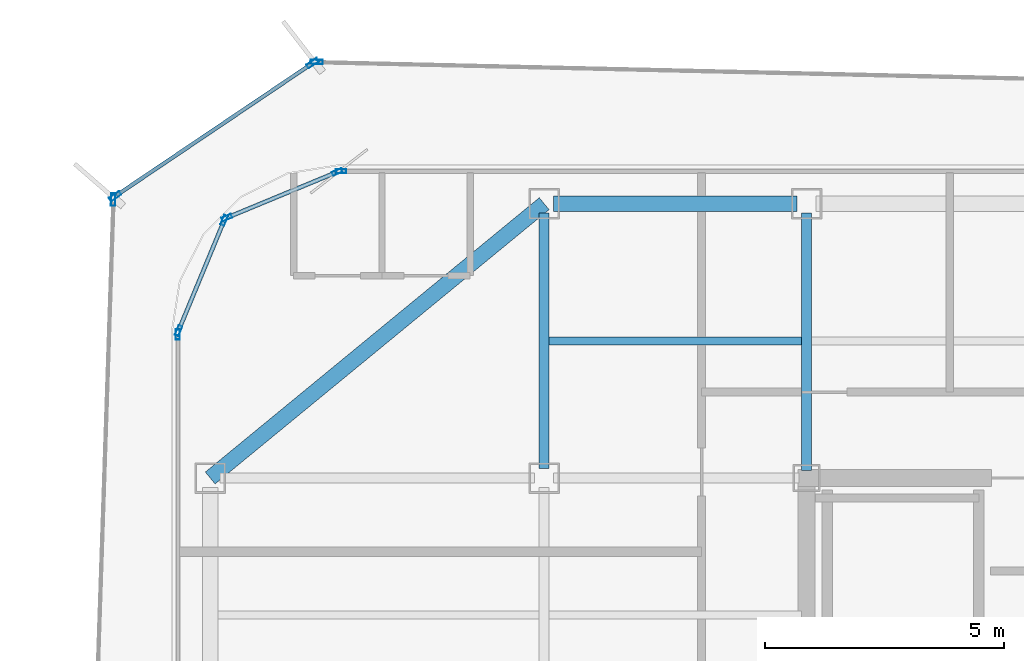
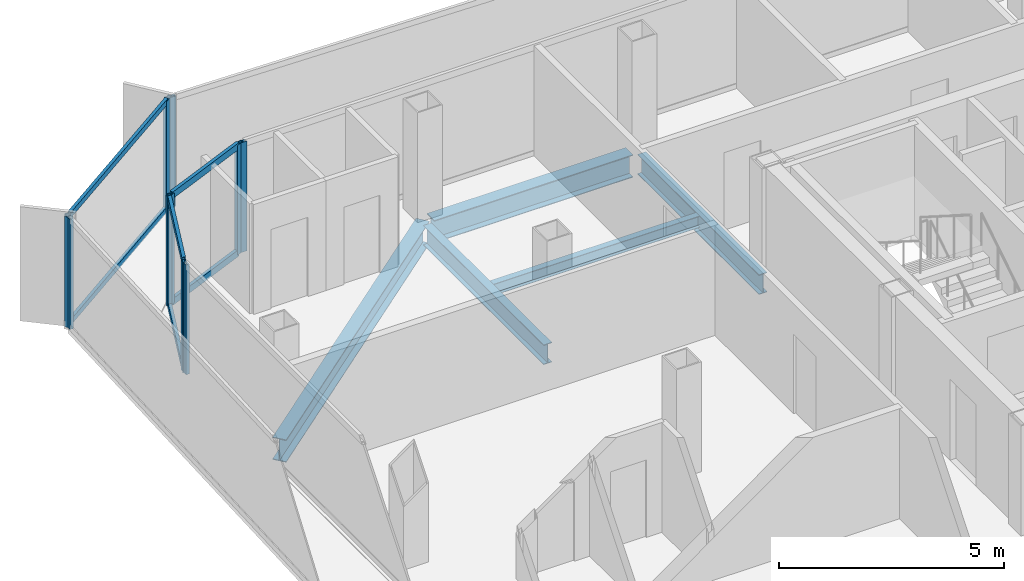
# One storey, part 6 of 16: 16 members, 5 beams, 7 elements without a shape of their own.
"""IFC4 building model written with IfcOpenShell, lengths in metres."""

from ifc_helpers import new_model, si_unit, direction, frame, origin, origin_2d, place, context, subcontext, project, spatial, hollow_rectangle, i_section, extrude, source, transform, mapped, material, layer, layer_set, material_profile, profile_set, type_object, element, aggregate, save


model = new_model("IFC4")

# Units and contexts
model_context = context("Model", 3, precision=1e-05, world=origin(), true_north=direction((0.0, 1.0)))
body_context = subcontext(model_context, "Body", "Model", "MODEL_VIEW")
ifc_project = project(units=[si_unit("LENGTHUNIT", "METRE"), si_unit("AREAUNIT", "SQUARE_METRE"), si_unit("VOLUMEUNIT", "CUBIC_METRE"), si_unit("PLANEANGLEUNIT", "RADIAN"), si_unit("MASSUNIT", "GRAM", prefix="KILO")], contexts=[model_context])

# Site, building, storey
site_placement = place(None, origin())
site = spatial("IfcSite", under=ifc_project, at=site_placement, CompositionType="ELEMENT")
building_placement = place(site_placement, origin())
building = spatial("IfcBuilding", under=site, at=building_placement, Name="Kolveth Station Tower", CompositionType="ELEMENT")
storey_placement = place(building_placement, frame((0.0, 0.0, 232.89990234375)))
storey = spatial("IfcBuildingStorey", under=building, at=storey_placement, Name="L66", CompositionType="ELEMENT", Elevation=232.89990234375)

# Beams
ifc_material_1 = material(Name="Steel S355", Category="steel")
ifc_material_profile_1 = material_profile(ifc_material_1, i_section(OverallWidth=0.323974609375, OverallDepth=0.611083984375, WebThickness=0.0126953125, FlangeThickness=0.01904296875, at=origin_2d()), Name="W610x155")
ifc_profile_set_1 = profile_set([ifc_material_profile_1], Name="Steel S355")
beam_type_1 = type_object("IfcBeamType", Name="Beam_SP2", PredefinedType="SPANDREL", material=ifc_profile_set_1)
shared_shape_1 = source(origin(), body_context, "Body", "SweptSolid", [
    extrude(i_section(OverallWidth=0.323974609375, OverallDepth=0.611083984375, WebThickness=0.0126953125, FlangeThickness=0.01904296875, at=origin_2d()), origin(), (0.0, 0.0, 1.0), 9.058837890625),
])
beam_1_placement = place(storey_placement, frame((13.0, 34.5, -0.525390625), z_axis=(-0.772726254525, -0.63473942336, 0.0), x_axis=(0.63473942336, -0.772726254525, 0.0)))
element("IfcBeam", 1, at=beam_1_placement, inside=storey, type_object=beam_type_1, Name="L66 Corner Edge Girder BM-L66-CNR-NW", PredefinedType="SPANDREL", context=body_context, shape_type="MappedRepresentation", body=[
    mapped(shared_shape_1, transform((0.0, 0.0, 0.0), x_axis=(1.0, 0.0, 0.0), y_axis=(0.0, 1.0, 0.0), z_axis=(0.0, 0.0, 1.0), scale=1.0)),
])
shared_shape_2 = source(origin(), body_context, "Body", "SweptSolid", [
    extrude(i_section(OverallWidth=0.323974609375, OverallDepth=0.611083984375, WebThickness=0.0126953125, FlangeThickness=0.01904296875, at=origin_2d()), origin(), (0.0, 0.0, 1.0), 5.10009765625),
])
beam_2_placement = place(storey_placement, frame((13.199951171875, 34.5, -0.525390625), z_axis=(1.0, 0.0, 0.0), x_axis=(0.0, 1.0, 0.0)))
element("IfcBeam", 2, at=beam_2_placement, inside=storey, type_object=beam_type_1, Name="L66 Perimeter Spandrel BM-L66-PN-1", PredefinedType="SPANDREL", context=body_context, shape_type="MappedRepresentation", body=[
    mapped(shared_shape_2, transform((0.0, 0.0, 0.0), x_axis=(1.0, 0.0, 0.0), y_axis=(0.0, 1.0, 0.0), z_axis=(0.0, 0.0, 1.0), scale=1.0)),
])
ifc_material_profile_2 = material_profile(ifc_material_1, i_section(OverallWidth=0.2099609375, OverallDepth=0.537109375, WebThickness=0.010986328125, FlangeThickness=0.017333984375, at=origin_2d()), Name="W530x101")
ifc_profile_set_2 = profile_set([ifc_material_profile_2], Name="Steel S355")
beam_type_2 = type_object("IfcBeamType", Name="Beam_B6", PredefinedType="BEAM", material=ifc_profile_set_2)
shared_shape_3 = source(origin(), body_context, "Body", "SweptSolid", [
    extrude(i_section(OverallWidth=0.2099609375, OverallDepth=0.537109375, WebThickness=0.010986328125, FlangeThickness=0.017333984375, at=origin_2d()), origin(), (0.0, 0.0, 1.0), 5.35009765625),
])
beam_3_placement = place(storey_placement, frame((13.0, 28.949951171875, -0.48828125), z_axis=(0.0, 1.0, 0.0), x_axis=(-1.0, 0.0, 0.0)))
element("IfcBeam", 3, at=beam_3_placement, inside=storey, type_object=beam_type_2, Name="L66 Primary Girder BM-L66-GX130-6", PredefinedType="BEAM", context=body_context, shape_type="MappedRepresentation", body=[
    mapped(shared_shape_3, transform((0.0, 0.0, 0.0), x_axis=(1.0, 0.0, 0.0), y_axis=(0.0, 1.0, 0.0), z_axis=(0.0, 0.0, 1.0), scale=1.0)),
])
shared_shape_4 = source(origin(), body_context, "Body", "SweptSolid", [
    extrude(i_section(OverallWidth=0.2099609375, OverallDepth=0.537109375, WebThickness=0.010986328125, FlangeThickness=0.017333984375, at=origin_2d()), origin(), (0.0, 0.0, 1.0), 5.39013671875),
])
beam_4_placement = place(storey_placement, frame((18.5, 28.909912109375, -0.48828125), z_axis=(0.0, 1.0, 0.0), x_axis=(-1.0, 0.0, 0.0)))
element("IfcBeam", 4, at=beam_4_placement, inside=storey, type_object=beam_type_2, Name="L66 Primary Girder BM-L66-GX185-6", PredefinedType="BEAM", context=body_context, shape_type="MappedRepresentation", body=[
    mapped(shared_shape_4, transform((0.0, 0.0, 0.0), x_axis=(1.0, 0.0, 0.0), y_axis=(0.0, 1.0, 0.0), z_axis=(0.0, 0.0, 1.0), scale=1.0)),
])
ifc_material_profile_3 = material_profile(ifc_material_1, i_section(OverallWidth=0.1650390625, OverallDepth=0.31005859375, WebThickness=0.005859375, FlangeThickness=0.009765625, at=origin_2d()), Name="W310x39")
ifc_profile_set_3 = profile_set([ifc_material_profile_3], Name="Steel S355")
beam_type_3 = type_object("IfcBeamType", Name="Beam_J3", PredefinedType="JOIST", material=ifc_profile_set_3)
shared_shape_5 = source(origin(), body_context, "Body", "SweptSolid", [
    extrude(i_section(OverallWidth=0.1650390625, OverallDepth=0.31005859375, WebThickness=0.005859375, FlangeThickness=0.009765625, at=origin_2d()), origin(), (0.0, 0.0, 1.0), 5.2939453125),
])
beam_5_placement = place(storey_placement, frame((13.10302734375, 31.625, -0.375), z_axis=(1.0, 0.0, 0.0), x_axis=(0.0, 1.0, 0.0)))
element("IfcBeam", 5, at=beam_5_placement, inside=storey, type_object=beam_type_3, Name="L66 Secondary Joist JST-L66-2-6", PredefinedType="JOIST", context=body_context, shape_type="MappedRepresentation", body=[
    mapped(shared_shape_5, transform((0.0, 0.0, 0.0), x_axis=(1.0, 0.0, 0.0), y_axis=(0.0, 1.0, 0.0), z_axis=(0.0, 0.0, 1.0), scale=1.0)),
])

# Curtain wall, member
ifc_material_2 = material(Name="Black anodized aluminium 6063-T6 and dark solar glass", Category="aluminium")
ifc_layer_1 = layer(ifc_material_2, 0.159912109375)
ifc_layer_set_1 = layer_set([ifc_layer_1], Name="Black anodized aluminium 6063-T6 and dark solar glass")
curtain_wall_type_1 = type_object("IfcCurtainWallType", Name="OUTER SKIN CW-OS", PredefinedType="NOTDEFINED", material=ifc_layer_set_1)
curtain_wall_1_placement = place(storey_placement, origin())
curtain_wall_1 = element("IfcCurtainWall", 6, at=curtain_wall_1_placement, inside=storey, type_object=curtain_wall_type_1, Name="L66 Outer Ventilated Skin Curtain Wall 4", PredefinedType="NOTDEFINED")
ifc_material_3 = material(Name="Black anodized aluminium 6063-T6", Category="aluminium")
ifc_material_profile_4 = material_profile(ifc_material_3, hollow_rectangle(XDim=0.090087890625, YDim=0.260009765625, WallThickness=0.0048828125, at=origin_2d()), Name="ALU-90x260x5")
ifc_profile_set_4 = profile_set([ifc_material_profile_4], Name="Black anodized aluminium 6063-T6")
member_type_1 = type_object("IfcMemberType", Name="FIN MULLION ML-OS", PredefinedType="MULLION", material=ifc_profile_set_4)
shared_shape_6 = source(origin(), body_context, "Body", "SweptSolid", [
    extrude(hollow_rectangle(XDim=0.090087890625, YDim=0.260009765625, WallThickness=0.0048828125, at=origin_2d()), origin(), (0.0, 0.0, 1.0), 2.989990234375),
])
member_1_placement = place(storey_placement, frame((8.23095703125, 37.470947265625, 0.0), z_axis=(0.0, 0.0, 1.0), x_axis=(-0.023115646129, -0.999732797753, 0.0)))
member_1 = element("IfcMember", 7, at=member_1_placement, type_object=member_type_1, Name="CW-OS mullion 2", PredefinedType="MULLION", context=body_context, shape_type="MappedRepresentation", body=[
    mapped(shared_shape_6, transform((0.0, 0.0, 0.0), x_axis=(1.0, 0.0, 0.0), y_axis=(0.0, 1.0, 0.0), z_axis=(0.0, 0.0, 1.0), scale=1.0)),
])
aggregate(curtain_wall_1, [member_1])

# Curtain wall, members
curtain_wall_2_placement = place(storey_placement, origin())
curtain_wall_2 = element("IfcCurtainWall", 8, at=curtain_wall_2_placement, inside=storey, type_object=curtain_wall_type_1, Name="L66 Outer Ventilated Skin Curtain Wall 5", PredefinedType="NOTDEFINED")
member_2_placement = place(storey_placement, frame((8.148681640625, 37.44677734375, 0.0), z_axis=(0.0, 0.0, 1.0), x_axis=(0.558759965127, -0.829329428738, 0.0)))
member_2 = element("IfcMember", 9, at=member_2_placement, type_object=member_type_1, Name="CW-OS mullion 1", PredefinedType="MULLION", context=body_context, shape_type="MappedRepresentation", body=[
    mapped(shared_shape_6, transform((0.0, 0.0, 0.0), x_axis=(1.0, 0.0, 0.0), y_axis=(0.0, 1.0, 0.0), z_axis=(0.0, 0.0, 1.0), scale=1.0)),
])
member_3_placement = place(storey_placement, frame((4.006103515625, 34.65576171875, 0.0), z_axis=(0.0, 0.0, 1.0), x_axis=(0.558759965127, -0.829329428738, 0.0)))
member_3 = element("IfcMember", 10, at=member_3_placement, type_object=member_type_1, Name="CW-OS mullion 2", PredefinedType="MULLION", context=body_context, shape_type="MappedRepresentation", body=[
    mapped(shared_shape_6, transform((0.0, 0.0, 0.0), x_axis=(1.0, 0.0, 0.0), y_axis=(0.0, 1.0, 0.0), z_axis=(0.0, 0.0, 1.0), scale=1.0)),
])

# Curtain wall, member
curtain_wall_3_placement = place(storey_placement, origin())
curtain_wall_3 = element("IfcCurtainWall", 11, at=curtain_wall_3_placement, inside=storey, type_object=curtain_wall_type_1, Name="L66 Outer Ventilated Skin Curtain Wall 6", PredefinedType="NOTDEFINED")
member_4_placement = place(storey_placement, frame((3.96728515625, 34.585693359375, 0.0), z_axis=(0.0, 0.0, 1.0), x_axis=(0.999445341564, -0.033301790141, 0.0)))
member_4 = element("IfcMember", 12, at=member_4_placement, type_object=member_type_1, Name="CW-OS mullion 1", PredefinedType="MULLION", context=body_context, shape_type="MappedRepresentation", body=[
    mapped(shared_shape_6, transform((0.0, 0.0, 0.0), x_axis=(1.0, 0.0, 0.0), y_axis=(0.0, 1.0, 0.0), z_axis=(0.0, 0.0, 1.0), scale=1.0)),
])
aggregate(curtain_wall_3, [member_4])

ifc_material_4 = material(Name="Aluminium 6063-T6 and triple low-E dark glass", Category="aluminium")
ifc_layer_2 = layer(ifc_material_4, 0.199951171875)
ifc_layer_set_2 = layer_set([ifc_layer_2], Name="Aluminium 6063-T6 and triple low-E dark glass")
curtain_wall_type_2 = type_object("IfcCurtainWallType", Name="CurtainWall_CW-Z3", PredefinedType="NOTDEFINED", material=ifc_layer_set_2)
curtain_wall_4_placement = place(storey_placement, origin())
curtain_wall_4 = element("IfcCurtainWall", 13, at=curtain_wall_4_placement, inside=storey, type_object=curtain_wall_type_2, Name="L66 Inner Thermal Curtain Wall 6", PredefinedType="NOTDEFINED")
ifc_material_profile_5 = material_profile(ifc_material_3, hollow_rectangle(XDim=0.0849609375, YDim=0.215087890625, WallThickness=0.0048828125, at=origin_2d()), Name="ALU-85x215x5")
ifc_profile_set_5 = profile_set([ifc_material_profile_5], Name="Black anodized aluminium 6063-T6")
member_type_2 = type_object("IfcMemberType", Name="Mullion_ML3", PredefinedType="MULLION", material=ifc_profile_set_5)
shared_shape_7 = source(origin(), body_context, "Body", "SweptSolid", [
    extrude(hollow_rectangle(XDim=0.0849609375, YDim=0.215087890625, WallThickness=0.0048828125, at=origin_2d()), origin(), (0.0, 0.0, 1.0), 2.97998046875),
])
member_5_placement = place(storey_placement, frame((8.742431640625, 35.179931640625, 0.0), z_axis=(0.0, 0.0, 1.0), x_axis=(0.0, -1.0, 0.0)))
member_5 = element("IfcMember", 14, at=member_5_placement, type_object=member_type_2, Name="CW-Z3 mullion 2", PredefinedType="MULLION", context=body_context, shape_type="MappedRepresentation", body=[
    mapped(shared_shape_7, transform((0.0, 0.0, 0.0), x_axis=(1.0, 0.0, 0.0), y_axis=(0.0, 1.0, 0.0), z_axis=(0.0, 0.0, 1.0), scale=1.0)),
])
aggregate(curtain_wall_4, [member_5])

# Curtain wall, members
curtain_wall_5_placement = place(storey_placement, origin())
curtain_wall_5 = element("IfcCurtainWall", 15, at=curtain_wall_5_placement, inside=storey, type_object=curtain_wall_type_2, Name="L66 Inner Thermal Curtain Wall 7", PredefinedType="NOTDEFINED")
member_6_placement = place(storey_placement, frame((8.66064453125, 35.163818359375, 0.0), z_axis=(0.0, 0.0, 1.0), x_axis=(0.382693194181, -0.923875488975, 0.0)))
member_6 = element("IfcMember", 16, at=member_6_placement, type_object=member_type_2, Name="CW-Z3 mullion 1", PredefinedType="MULLION", context=body_context, shape_type="MappedRepresentation", body=[
    mapped(shared_shape_7, transform((0.0, 0.0, 0.0), x_axis=(1.0, 0.0, 0.0), y_axis=(0.0, 1.0, 0.0), z_axis=(0.0, 0.0, 1.0), scale=1.0)),
])
member_7_placement = place(storey_placement, frame((6.349365234375, 34.206298828125, 0.0), z_axis=(0.0, 0.0, 1.0), x_axis=(0.382693194181, -0.923875488975, 0.0)))
member_7 = element("IfcMember", 17, at=member_7_placement, type_object=member_type_2, Name="CW-Z3 mullion 2", PredefinedType="MULLION", context=body_context, shape_type="MappedRepresentation", body=[
    mapped(shared_shape_7, transform((0.0, 0.0, 0.0), x_axis=(1.0, 0.0, 0.0), y_axis=(0.0, 1.0, 0.0), z_axis=(0.0, 0.0, 1.0), scale=1.0)),
])

curtain_wall_6_placement = place(storey_placement, origin())
curtain_wall_6 = element("IfcCurtainWall", 18, at=curtain_wall_6_placement, inside=storey, type_object=curtain_wall_type_2, Name="L66 Inner Thermal Curtain Wall 8", PredefinedType="NOTDEFINED")
member_8_placement = place(storey_placement, frame((6.293701171875, 34.150634765625, 0.0), z_axis=(0.0, 0.0, 1.0), x_axis=(0.923875488975, -0.382693194181, 0.0)))
member_8 = element("IfcMember", 19, at=member_8_placement, type_object=member_type_2, Name="CW-Z3 mullion 1", PredefinedType="MULLION", context=body_context, shape_type="MappedRepresentation", body=[
    mapped(shared_shape_7, transform((0.0, 0.0, 0.0), x_axis=(1.0, 0.0, 0.0), y_axis=(0.0, 1.0, 0.0), z_axis=(0.0, 0.0, 1.0), scale=1.0)),
])
member_9_placement = place(storey_placement, frame((5.336181640625, 31.83935546875, 0.0), z_axis=(0.0, 0.0, 1.0), x_axis=(0.923875488975, -0.382693194181, 0.0)))
member_9 = element("IfcMember", 20, at=member_9_placement, type_object=member_type_2, Name="CW-Z3 mullion 2", PredefinedType="MULLION", context=body_context, shape_type="MappedRepresentation", body=[
    mapped(shared_shape_7, transform((0.0, 0.0, 0.0), x_axis=(1.0, 0.0, 0.0), y_axis=(0.0, 1.0, 0.0), z_axis=(0.0, 0.0, 1.0), scale=1.0)),
])

# Curtain wall, member
curtain_wall_7_placement = place(storey_placement, origin())
curtain_wall_7 = element("IfcCurtainWall", 21, at=curtain_wall_7_placement, inside=storey, type_object=curtain_wall_type_2, Name="L66 Inner Thermal Curtain Wall 9", PredefinedType="NOTDEFINED")
member_10_placement = place(storey_placement, frame((5.320068359375, 31.757568359375, 0.0), z_axis=(0.0, 0.0, 1.0), x_axis=(1.0, 0.0, 0.0)))
member_10 = element("IfcMember", 22, at=member_10_placement, type_object=member_type_2, Name="CW-Z3 mullion 1", PredefinedType="MULLION", context=body_context, shape_type="MappedRepresentation", body=[
    mapped(shared_shape_7, transform((0.0, 0.0, 0.0), x_axis=(1.0, 0.0, 0.0), y_axis=(0.0, 1.0, 0.0), z_axis=(0.0, 0.0, 1.0), scale=1.0)),
])
aggregate(curtain_wall_7, [member_10])

# Member
ifc_material_profile_6 = material_profile(ifc_material_3, hollow_rectangle(XDim=0.0849609375, YDim=0.179931640625, WallThickness=0.0048828125, at=origin_2d()), Name="ALU-85x180x5")
ifc_profile_set_6 = profile_set([ifc_material_profile_6], Name="Black anodized aluminium 6063-T6")
member_type_3 = type_object("IfcMemberType", Name="Transom_TR3", PredefinedType="USERDEFINED", material=ifc_profile_set_6)
shared_shape_8 = source(origin(), body_context, "Body", "SweptSolid", [
    extrude(hollow_rectangle(XDim=0.0849609375, YDim=0.179931640625, WallThickness=0.0048828125, at=origin_2d()), origin(), (0.0, 0.0, 1.0), 2.417236328125),
])
member_11_placement = place(storey_placement, frame((8.62158203125, 35.1474609375, 0.04248046875), z_axis=(-0.923872799448, -0.382699687013, 0.0), x_axis=(0.382699687013, -0.923872799448, 0.0)))
member_11 = element("IfcMember", 23, at=member_11_placement, type_object=member_type_3, Name="CW-Z3 transom 1.1", ObjectType="TRANSOM", PredefinedType="USERDEFINED", context=body_context, shape_type="MappedRepresentation", body=[
    mapped(shared_shape_8, transform((0.0, 0.0, 0.0), x_axis=(1.0, 0.0, 0.0), y_axis=(0.0, 1.0, 0.0), z_axis=(0.0, 0.0, 1.0), scale=1.0)),
])

member_12_placement = place(storey_placement, frame((8.62158203125, 35.1474609375, 2.9375), z_axis=(-0.923872799448, -0.382699687013, 0.0), x_axis=(0.382699687013, -0.923872799448, 0.0)))
member_12 = element("IfcMember", 24, at=member_12_placement, type_object=member_type_3, Name="CW-Z3 transom 1.2", ObjectType="TRANSOM", PredefinedType="USERDEFINED", context=body_context, shape_type="MappedRepresentation", body=[
    mapped(shared_shape_8, transform((0.0, 0.0, 0.0), x_axis=(1.0, 0.0, 0.0), y_axis=(0.0, 1.0, 0.0), z_axis=(0.0, 0.0, 1.0), scale=1.0)),
])

aggregate(curtain_wall_5, [member_6, member_7, member_11, member_12])

member_13_placement = place(storey_placement, frame((6.277587890625, 34.111572265625, 0.04248046875), z_axis=(-0.382699687013, -0.923872799448, 0.0), x_axis=(0.923872799448, -0.382699687013, 0.0)))
member_13 = element("IfcMember", 25, at=member_13_placement, type_object=member_type_3, Name="CW-Z3 transom 1.1", ObjectType="TRANSOM", PredefinedType="USERDEFINED", context=body_context, shape_type="MappedRepresentation", body=[
    mapped(shared_shape_8, transform((0.0, 0.0, 0.0), x_axis=(1.0, 0.0, 0.0), y_axis=(0.0, 1.0, 0.0), z_axis=(0.0, 0.0, 1.0), scale=1.0)),
])

member_14_placement = place(storey_placement, frame((6.277587890625, 34.111572265625, 2.9375), z_axis=(-0.382699687013, -0.923872799448, 0.0), x_axis=(0.923872799448, -0.382699687013, 0.0)))
member_14 = element("IfcMember", 26, at=member_14_placement, type_object=member_type_3, Name="CW-Z3 transom 1.2", ObjectType="TRANSOM", PredefinedType="USERDEFINED", context=body_context, shape_type="MappedRepresentation", body=[
    mapped(shared_shape_8, transform((0.0, 0.0, 0.0), x_axis=(1.0, 0.0, 0.0), y_axis=(0.0, 1.0, 0.0), z_axis=(0.0, 0.0, 1.0), scale=1.0)),
])

aggregate(curtain_wall_6, [member_8, member_9, member_13, member_14])

ifc_material_profile_7 = material_profile(ifc_material_3, hollow_rectangle(XDim=0.080078125, YDim=0.14990234375, WallThickness=0.0048828125, at=origin_2d()), Name="ALU-80x150x5")
ifc_profile_set_7 = profile_set([ifc_material_profile_7], Name="Black anodized aluminium 6063-T6")
member_type_4 = type_object("IfcMemberType", Name="Transom_TR-OS", PredefinedType="USERDEFINED", material=ifc_profile_set_7)
shared_shape_9 = source(origin(), body_context, "Body", "SweptSolid", [
    extrude(hollow_rectangle(XDim=0.080078125, YDim=0.14990234375, WallThickness=0.0048828125, at=origin_2d()), origin(), (0.0, 0.0, 1.0), 4.905029296875),
])
member_15_placement = place(storey_placement, frame((8.111328125, 37.421630859375, 0.0400390625), z_axis=(-0.829329605952, -0.558759702101, 0.0), x_axis=(0.558759702101, -0.829329605952, 0.0)))
member_15 = element("IfcMember", 27, at=member_15_placement, type_object=member_type_4, Name="CW-OS transom 1.1", ObjectType="TRANSOM", PredefinedType="USERDEFINED", context=body_context, shape_type="MappedRepresentation", body=[
    mapped(shared_shape_9, transform((0.0, 0.0, 0.0), x_axis=(1.0, 0.0, 0.0), y_axis=(0.0, 1.0, 0.0), z_axis=(0.0, 0.0, 1.0), scale=1.0)),
])

member_16_placement = place(storey_placement, frame((8.111328125, 37.421630859375, 2.9501953125), z_axis=(-0.829329605952, -0.558759702101, 0.0), x_axis=(0.558759702101, -0.829329605952, 0.0)))
member_16 = element("IfcMember", 28, at=member_16_placement, type_object=member_type_4, Name="CW-OS transom 1.2", ObjectType="TRANSOM", PredefinedType="USERDEFINED", context=body_context, shape_type="MappedRepresentation", body=[
    mapped(shared_shape_9, transform((0.0, 0.0, 0.0), x_axis=(1.0, 0.0, 0.0), y_axis=(0.0, 1.0, 0.0), z_axis=(0.0, 0.0, 1.0), scale=1.0)),
])

aggregate(curtain_wall_2, [member_2, member_3, member_15, member_16])

save(model, "model.ifc")
